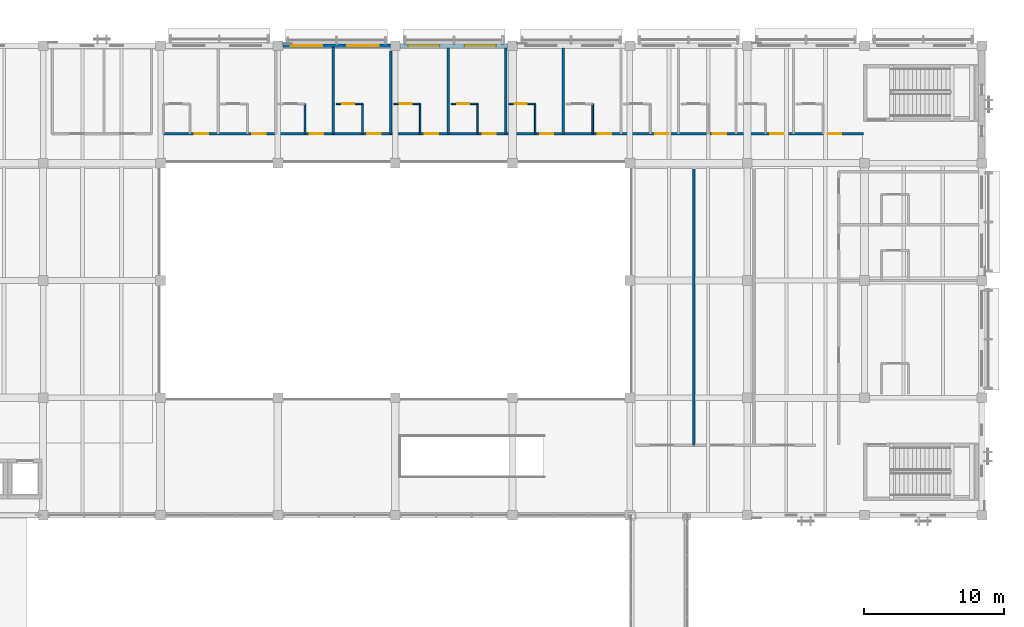
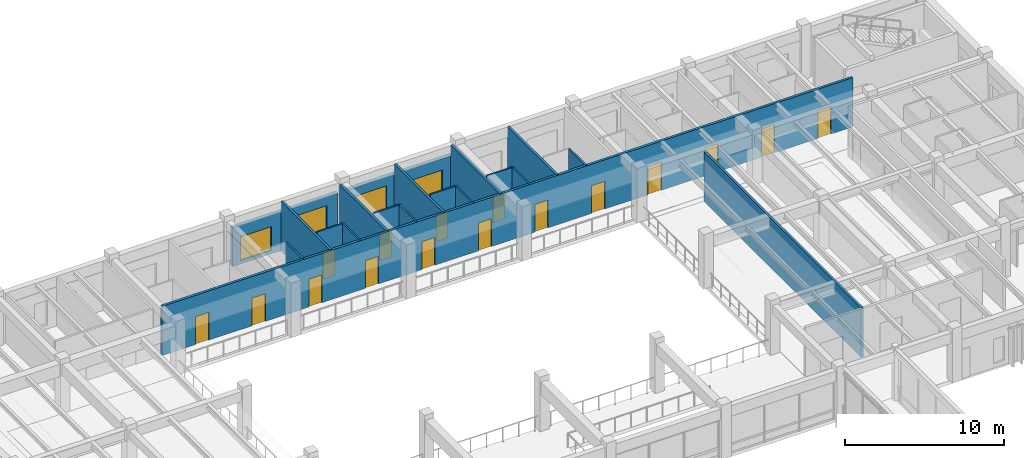
# One storey, part 96 of 132: 19 walls, 16 doors, 4 windows, 20 openings.
"""IFC4 building model written with IfcOpenShell, lengths in metres."""

from ifc_helpers import new_model, si_unit, direction, frame, frame_2d, origin, place, context, subcontext, project, spatial, rectangle, extrude, material, layer, layer_set, type_object, element, fill, save


model = new_model("IFC4")

# Units and contexts
model_context = context("Model", 3, precision=1e-05, world=origin(), true_north=direction((0.0, 1.0)))
body_context = subcontext(model_context, "Body", "Model", "MODEL_VIEW")
ifc_project = project(units=[si_unit("LENGTHUNIT", "METRE"), si_unit("AREAUNIT", "SQUARE_METRE"), si_unit("VOLUMEUNIT", "CUBIC_METRE"), si_unit("PLANEANGLEUNIT", "RADIAN"), si_unit("MASSUNIT", "GRAM", prefix="KILO")], contexts=[model_context])

# Site, building, storey
site_placement = place(None, origin())
site = spatial("IfcSite", under=ifc_project, at=site_placement, CompositionType="ELEMENT")
building_placement = place(site_placement, origin())
building = spatial("IfcBuilding", under=site, at=building_placement, Name="Cumbredor Promenade Congress Hotel", CompositionType="ELEMENT")
storey_placement = place(building_placement, frame((0.0, 0.0, 7.56005859375)))
storey = spatial("IfcBuildingStorey", under=building, at=storey_placement, Name="L02", CompositionType="ELEMENT", Elevation=7.56005859375)

# Wall
ifc_material_1 = material(Name="Moisture-resistant gypsum board on steel studs", Category="steel")
ifc_layer_1 = layer(ifc_material_1, 0.114990234375, Name="Moisture-resistant gypsum board on steel studs", Category="steel")
ifc_layer_set_1 = layer_set([ifc_layer_1], Name="Moisture-resistant gypsum board on steel studs")
wall_type_1 = type_object("IfcWallType", Name="WL-BATH-115", PredefinedType="PARTITIONING", material=ifc_layer_set_1)
wall_1_placement = place(storey_placement, frame((127.93994140625, 111.300048828125, 0.0), z_axis=(0.0, 0.0, 1.0), x_axis=(0.0, 1.0, 0.0)))
element("IfcWall", 1, at=wall_1_placement, inside=storey, type_object=wall_type_1, Name="L02 Interior Partition W-L02-FBV-F0203", PredefinedType="PARTITIONING", context=body_context, shape_type="SweptSolid", body=[
    extrude(rectangle(XDim=2.14990234375, YDim=0.114990234375, at=frame_2d((1.074951171875, 0.0))), origin(), (0.0, 0.0, 1.0), 3.800048828125),
])

# Wall, opening, door
wall_2_placement = place(storey_placement, frame((130.159912109375, 113.449951171875, 0.0), z_axis=(0.0, 0.0, 1.0), x_axis=(1.0, 0.0, 0.0)))
wall_2 = element("IfcWall", 2, at=wall_2_placement, inside=storey, type_object=wall_type_1, Name="L02 Interior Partition W-L02-FBH-F0204", PredefinedType="PARTITIONING", context=body_context, shape_type="SweptSolid", body=[
    extrude(rectangle(XDim=1.900146484375, YDim=0.114990234375, at=frame_2d((0.9501953125, 0.0))), origin(), (0.0, 0.0, 1.0), 3.800048828125),
])
opening_1_placement = place(wall_2_placement, frame((0.449951171875, 0.0, 0.0)))
opening_1 = element("IfcOpeningElement", 3, at=opening_1_placement, cuts=wall_2, Name="Opening ID-01", PredefinedType="OPENING", context=body_context, shape_type="SweptSolid", body=[
    extrude(rectangle(XDim=0.860107421875, YDim=2.050048828125, at=frame_2d((0.43017578125, 1.02490234375))), frame((0.0, 0.0673828125, 0.0), z_axis=(0.0, -1.0, 0.0), x_axis=(1.0, 0.0, 0.0)), (0.0, 0.0, 1.0), 0.135009765625),
])
ifc_material_2 = material(Name="Kiln-dried tropical hardwood", Category="wood")
door_type_1 = type_object("IfcDoorType", Name="DR-BATH-860", OperationType="NOTDEFINED", PredefinedType="DOOR", material=ifc_material_2)
door_1_placement = place(opening_1_placement, origin())
door_1 = element("IfcDoor", 4, at=door_1_placement, inside=storey, type_object=door_type_1, Name="L02 Interior Door W-L02-FBH-F0204-01", OperationType="SINGLE_SWING_LEFT", OverallHeight=2.050048828125, OverallWidth=0.860107421875, PredefinedType="DOOR", context=body_context, shape_type="SweptSolid", body=[
    extrude(rectangle(XDim=0.860107421875, YDim=2.050048828125, at=frame_2d((0.43017578125, 1.02490234375))), frame((0.0, 0.02490234375, 0.0), z_axis=(0.0, -1.0, 0.0), x_axis=(1.0, 0.0, 0.0)), (0.0, 0.0, 1.0), 0.050048828125),
])
fill(opening_1, door_1)

# Wall
wall_3_placement = place(storey_placement, frame((132.06005859375, 111.300048828125, 0.0), z_axis=(0.0, 0.0, 1.0), x_axis=(0.0, 1.0, 0.0)))
element("IfcWall", 5, at=wall_3_placement, inside=storey, type_object=wall_type_1, Name="L02 Interior Partition W-L02-FBV-F0204", PredefinedType="PARTITIONING", context=body_context, shape_type="SweptSolid", body=[
    extrude(rectangle(XDim=2.14990234375, YDim=0.114990234375, at=frame_2d((1.074951171875, 0.0))), origin(), (0.0, 0.0, 1.0), 3.800048828125),
])

# Wall, opening, door
wall_4_placement = place(storey_placement, frame((134.280029296875, 113.449951171875, 0.0), z_axis=(0.0, 0.0, 1.0), x_axis=(1.0, 0.0, 0.0)))
wall_4 = element("IfcWall", 6, at=wall_4_placement, inside=storey, type_object=wall_type_1, Name="L02 Interior Partition W-L02-FBH-F0205", PredefinedType="PARTITIONING", context=body_context, shape_type="SweptSolid", body=[
    extrude(rectangle(XDim=1.89990234375, YDim=0.114990234375, at=frame_2d((0.949951171875, 0.0))), origin(), (0.0, 0.0, 1.0), 3.800048828125),
])
opening_2_placement = place(wall_4_placement, frame((0.449951171875, 0.0, 0.0)))
opening_2 = element("IfcOpeningElement", 7, at=opening_2_placement, cuts=wall_4, Name="Opening ID-01", PredefinedType="OPENING", context=body_context, shape_type="SweptSolid", body=[
    extrude(rectangle(XDim=0.860107421875, YDim=2.050048828125, at=frame_2d((0.43017578125, 1.02490234375))), frame((0.0, 0.0673828125, 0.0), z_axis=(0.0, -1.0, 0.0), x_axis=(1.0, 0.0, 0.0)), (0.0, 0.0, 1.0), 0.135009765625),
])
door_2_placement = place(opening_2_placement, origin())
door_2 = element("IfcDoor", 8, at=door_2_placement, inside=storey, type_object=door_type_1, Name="L02 Interior Door W-L02-FBH-F0205-01", OperationType="SINGLE_SWING_RIGHT", OverallHeight=2.050048828125, OverallWidth=0.860107421875, PredefinedType="DOOR", context=body_context, shape_type="SweptSolid", body=[
    extrude(rectangle(XDim=0.860107421875, YDim=2.050048828125, at=frame_2d((0.43017578125, 1.02490234375))), frame((0.0, 0.02490234375, 0.0), z_axis=(0.0, -1.0, 0.0), x_axis=(1.0, 0.0, 0.0)), (0.0, 0.0, 1.0), 0.050048828125),
])
fill(opening_2, door_2)

# Wall
wall_5_placement = place(storey_placement, frame((136.179931640625, 111.300048828125, 0.0), z_axis=(0.0, 0.0, 1.0), x_axis=(0.0, 1.0, 0.0)))
element("IfcWall", 9, at=wall_5_placement, inside=storey, type_object=wall_type_1, Name="L02 Interior Partition W-L02-FBV-F0205", PredefinedType="PARTITIONING", context=body_context, shape_type="SweptSolid", body=[
    extrude(rectangle(XDim=2.14990234375, YDim=0.114990234375, at=frame_2d((1.074951171875, 0.0))), origin(), (0.0, 0.0, 1.0), 3.800048828125),
])

# Wall, opening, door
wall_6_placement = place(storey_placement, frame((138.39990234375, 113.449951171875, 0.0), z_axis=(0.0, 0.0, 1.0), x_axis=(1.0, 0.0, 0.0)))
wall_6 = element("IfcWall", 10, at=wall_6_placement, inside=storey, type_object=wall_type_1, Name="L02 Interior Partition W-L02-FBH-F0206", PredefinedType="PARTITIONING", context=body_context, shape_type="SweptSolid", body=[
    extrude(rectangle(XDim=1.900146484375, YDim=0.114990234375, at=frame_2d((0.9501953125, 0.0))), origin(), (0.0, 0.0, 1.0), 3.800048828125),
])
opening_3_placement = place(wall_6_placement, frame((0.449951171875, 0.0, 0.0)))
opening_3 = element("IfcOpeningElement", 11, at=opening_3_placement, cuts=wall_6, Name="Opening ID-01", PredefinedType="OPENING", context=body_context, shape_type="SweptSolid", body=[
    extrude(rectangle(XDim=0.860107421875, YDim=2.050048828125, at=frame_2d((0.43017578125, 1.02490234375))), frame((0.0, 0.0673828125, 0.0), z_axis=(0.0, -1.0, 0.0), x_axis=(1.0, 0.0, 0.0)), (0.0, 0.0, 1.0), 0.135009765625),
])
door_3_placement = place(opening_3_placement, origin())
door_3 = element("IfcDoor", 12, at=door_3_placement, inside=storey, type_object=door_type_1, Name="L02 Interior Door W-L02-FBH-F0206-01", OperationType="SINGLE_SWING_LEFT", OverallHeight=2.050048828125, OverallWidth=0.860107421875, PredefinedType="DOOR", context=body_context, shape_type="SweptSolid", body=[
    extrude(rectangle(XDim=0.860107421875, YDim=2.050048828125, at=frame_2d((0.43017578125, 1.02490234375))), frame((0.0, 0.02490234375, 0.0), z_axis=(0.0, -1.0, 0.0), x_axis=(1.0, 0.0, 0.0)), (0.0, 0.0, 1.0), 0.050048828125),
])
fill(opening_3, door_3)

# Wall
wall_7_placement = place(storey_placement, frame((140.300048828125, 111.300048828125, 0.0), z_axis=(0.0, 0.0, 1.0), x_axis=(0.0, 1.0, 0.0)))
element("IfcWall", 13, at=wall_7_placement, inside=storey, type_object=wall_type_1, Name="L02 Interior Partition W-L02-FBV-F0206", PredefinedType="PARTITIONING", context=body_context, shape_type="SweptSolid", body=[
    extrude(rectangle(XDim=2.14990234375, YDim=0.114990234375, at=frame_2d((1.074951171875, 0.0))), origin(), (0.0, 0.0, 1.0), 3.800048828125),
])

# Wall, opening, door
wall_8_placement = place(storey_placement, frame((142.52001953125, 113.449951171875, 0.0), z_axis=(0.0, 0.0, 1.0), x_axis=(1.0, 0.0, 0.0)))
wall_8 = element("IfcWall", 14, at=wall_8_placement, inside=storey, type_object=wall_type_1, Name="L02 Interior Partition W-L02-FBH-F0207", PredefinedType="PARTITIONING", context=body_context, shape_type="SweptSolid", body=[
    extrude(rectangle(XDim=1.89990234375, YDim=0.114990234375, at=frame_2d((0.949951171875, 0.0))), origin(), (0.0, 0.0, 1.0), 3.800048828125),
])
opening_4_placement = place(wall_8_placement, frame((0.449951171875, 0.0, 0.0)))
opening_4 = element("IfcOpeningElement", 15, at=opening_4_placement, cuts=wall_8, Name="Opening ID-01", PredefinedType="OPENING", context=body_context, shape_type="SweptSolid", body=[
    extrude(rectangle(XDim=0.860107421875, YDim=2.050048828125, at=frame_2d((0.43017578125, 1.02490234375))), frame((0.0, 0.0673828125, 0.0), z_axis=(0.0, -1.0, 0.0), x_axis=(1.0, 0.0, 0.0)), (0.0, 0.0, 1.0), 0.135009765625),
])
door_4_placement = place(opening_4_placement, origin())
door_4 = element("IfcDoor", 16, at=door_4_placement, inside=storey, type_object=door_type_1, Name="L02 Interior Door W-L02-FBH-F0207-01", OperationType="SINGLE_SWING_RIGHT", OverallHeight=2.050048828125, OverallWidth=0.860107421875, PredefinedType="DOOR", context=body_context, shape_type="SweptSolid", body=[
    extrude(rectangle(XDim=0.860107421875, YDim=2.050048828125, at=frame_2d((0.43017578125, 1.02490234375))), frame((0.0, 0.02490234375, 0.0), z_axis=(0.0, -1.0, 0.0), x_axis=(1.0, 0.0, 0.0)), (0.0, 0.0, 1.0), 0.050048828125),
])
fill(opening_4, door_4)

# Walls
for number, where, z_axis, x_axis, name in (
    (17, (144.419921875, 111.300048828125, 0.0), (0.0, 0.0, 1.0), (0.0, 1.0, 0.0), "L02 Interior Partition W-L02-FBV-F0207"),
    (18, (148.5400390625, 111.300048828125, 0.0), (0.0, 0.0, 1.0), (0.0, 1.0, 0.0), "L02 Interior Partition W-L02-FBV-F0208"),
):
    element("IfcWall", number, at=place(storey_placement, frame(where, z_axis=z_axis, x_axis=x_axis)), inside=storey, type_object=wall_type_1, Name=name, PredefinedType="PARTITIONING", context=body_context, shape_type="SweptSolid", body=[
        extrude(rectangle(XDim=2.14990234375, YDim=0.114990234375, at=frame_2d((1.074951171875, 0.0))), origin(), (0.0, 0.0, 1.0), 3.800048828125),
    ])

# Wall, openings, doors
ifc_material_3 = material(Name="Fire-rated hotel corridor wall")
ifc_layer_2 = layer(ifc_material_3, 0.179931640625, Name="Fire-rated hotel corridor wall")
ifc_layer_set_2 = layer_set([ifc_layer_2], Name="Fire-rated hotel corridor wall")
wall_type_2 = type_object("IfcWallType", Name="WL-CORR-180", PredefinedType="PARTITIONING", material=ifc_layer_set_2)
wall_9_placement = place(storey_placement, frame((117.60009765625, 111.300048828125, 0.0), z_axis=(0.0, 0.0, 1.0), x_axis=(1.0, 0.0, 0.0)))
wall_9 = element("IfcWall", 19, at=wall_9_placement, inside=storey, type_object=wall_type_2, Name="L02 Interior Partition W-L02-FCORRW", PredefinedType="PARTITIONING", context=body_context, shape_type="SweptSolid", body=[
    extrude(rectangle(XDim=50.31982421875, YDim=0.179931640625, at=frame_2d((25.159912109375, 0.0))), origin(), (0.0, 0.0, 1.0), 3.800048828125),
])
opening_5_placement = place(wall_9_placement, frame((2.449951171875, 0.0, 0.0)))
opening_5 = element("IfcOpeningElement", 20, at=opening_5_placement, cuts=wall_9, Name="Opening FD-01", PredefinedType="OPENING", context=body_context, shape_type="SweptSolid", body=[
    extrude(rectangle(XDim=0.9599609375, YDim=2.14990234375, at=frame_2d((0.47998046875, 1.074951171875))), frame((0.0, 0.10009765625, 0.0), z_axis=(0.0, -1.0, 0.0), x_axis=(1.0, 0.0, 0.0)), (0.0, 0.0, 1.0), 0.199951171875),
])
opening_6_placement = place(wall_9_placement, frame((6.570068359375, 0.0, 0.0)))
opening_6 = element("IfcOpeningElement", 21, at=opening_6_placement, cuts=wall_9, Name="Opening FD-01", PredefinedType="OPENING", context=body_context, shape_type="SweptSolid", body=[
    extrude(rectangle(XDim=0.9599609375, YDim=2.14990234375, at=frame_2d((0.47998046875, 1.074951171875))), frame((0.0, 0.10009765625, 0.0), z_axis=(0.0, -1.0, 0.0), x_axis=(1.0, 0.0, 0.0)), (0.0, 0.0, 1.0), 0.199951171875),
])
opening_7_placement = place(wall_9_placement, frame((10.68994140625, 0.0, 0.0)))
opening_7 = element("IfcOpeningElement", 22, at=opening_7_placement, cuts=wall_9, Name="Opening FD-01", PredefinedType="OPENING", context=body_context, shape_type="SweptSolid", body=[
    extrude(rectangle(XDim=0.9599609375, YDim=2.14990234375, at=frame_2d((0.47998046875, 1.074951171875))), frame((0.0, 0.10009765625, 0.0), z_axis=(0.0, -1.0, 0.0), x_axis=(1.0, 0.0, 0.0)), (0.0, 0.0, 1.0), 0.199951171875),
])
opening_8_placement = place(wall_9_placement, frame((14.81005859375, 0.0, 0.0)))
opening_8 = element("IfcOpeningElement", 23, at=opening_8_placement, cuts=wall_9, Name="Opening FD-01", PredefinedType="OPENING", context=body_context, shape_type="SweptSolid", body=[
    extrude(rectangle(XDim=0.9599609375, YDim=2.14990234375, at=frame_2d((0.47998046875, 1.074951171875))), frame((0.0, 0.10009765625, 0.0), z_axis=(0.0, -1.0, 0.0), x_axis=(1.0, 0.0, 0.0)), (0.0, 0.0, 1.0), 0.199951171875),
])
opening_9_placement = place(wall_9_placement, frame((18.929931640625, 0.0, 0.0)))
opening_9 = element("IfcOpeningElement", 24, at=opening_9_placement, cuts=wall_9, Name="Opening FD-01", PredefinedType="OPENING", context=body_context, shape_type="SweptSolid", body=[
    extrude(rectangle(XDim=0.9599609375, YDim=2.14990234375, at=frame_2d((0.47998046875, 1.074951171875))), frame((0.0, 0.10009765625, 0.0), z_axis=(0.0, -1.0, 0.0), x_axis=(1.0, 0.0, 0.0)), (0.0, 0.0, 1.0), 0.199951171875),
])
opening_10_placement = place(wall_9_placement, frame((23.050048828125, 0.0, 0.0)))
opening_10 = element("IfcOpeningElement", 25, at=opening_10_placement, cuts=wall_9, Name="Opening FD-01", PredefinedType="OPENING", context=body_context, shape_type="SweptSolid", body=[
    extrude(rectangle(XDim=0.9599609375, YDim=2.14990234375, at=frame_2d((0.47998046875, 1.074951171875))), frame((0.0, 0.10009765625, 0.0), z_axis=(0.0, -1.0, 0.0), x_axis=(1.0, 0.0, 0.0)), (0.0, 0.0, 1.0), 0.199951171875),
])
opening_11_placement = place(wall_9_placement, frame((27.169921875, 0.0, 0.0)))
opening_11 = element("IfcOpeningElement", 26, at=opening_11_placement, cuts=wall_9, Name="Opening FD-01", PredefinedType="OPENING", context=body_context, shape_type="SweptSolid", body=[
    extrude(rectangle(XDim=0.9599609375, YDim=2.14990234375, at=frame_2d((0.47998046875, 1.074951171875))), frame((0.0, 0.10009765625, 0.0), z_axis=(0.0, -1.0, 0.0), x_axis=(1.0, 0.0, 0.0)), (0.0, 0.0, 1.0), 0.199951171875),
])
opening_12_placement = place(wall_9_placement, frame((31.2900390625, 0.0, 0.0)))
opening_12 = element("IfcOpeningElement", 27, at=opening_12_placement, cuts=wall_9, Name="Opening FD-01", PredefinedType="OPENING", context=body_context, shape_type="SweptSolid", body=[
    extrude(rectangle(XDim=0.9599609375, YDim=2.14990234375, at=frame_2d((0.47998046875, 1.074951171875))), frame((0.0, 0.10009765625, 0.0), z_axis=(0.0, -1.0, 0.0), x_axis=(1.0, 0.0, 0.0)), (0.0, 0.0, 1.0), 0.199951171875),
])
opening_13_placement = place(wall_9_placement, frame((35.409912109375, 0.0, 0.0)))
opening_13 = element("IfcOpeningElement", 28, at=opening_13_placement, cuts=wall_9, Name="Opening FD-01", PredefinedType="OPENING", context=body_context, shape_type="SweptSolid", body=[
    extrude(rectangle(XDim=0.9599609375, YDim=2.14990234375, at=frame_2d((0.47998046875, 1.074951171875))), frame((0.0, 0.10009765625, 0.0), z_axis=(0.0, -1.0, 0.0), x_axis=(1.0, 0.0, 0.0)), (0.0, 0.0, 1.0), 0.199951171875),
])
opening_14_placement = place(wall_9_placement, frame((39.530029296875, 0.0, 0.0)))
opening_14 = element("IfcOpeningElement", 29, at=opening_14_placement, cuts=wall_9, Name="Opening FD-01", PredefinedType="OPENING", context=body_context, shape_type="SweptSolid", body=[
    extrude(rectangle(XDim=0.9599609375, YDim=2.14990234375, at=frame_2d((0.47998046875, 1.074951171875))), frame((0.0, 0.10009765625, 0.0), z_axis=(0.0, -1.0, 0.0), x_axis=(1.0, 0.0, 0.0)), (0.0, 0.0, 1.0), 0.199951171875),
])
opening_15_placement = place(wall_9_placement, frame((43.64990234375, 0.0, 0.0)))
opening_15 = element("IfcOpeningElement", 30, at=opening_15_placement, cuts=wall_9, Name="Opening FD-01", PredefinedType="OPENING", context=body_context, shape_type="SweptSolid", body=[
    extrude(rectangle(XDim=0.9599609375, YDim=2.14990234375, at=frame_2d((0.47998046875, 1.074951171875))), frame((0.0, 0.10009765625, 0.0), z_axis=(0.0, -1.0, 0.0), x_axis=(1.0, 0.0, 0.0)), (0.0, 0.0, 1.0), 0.199951171875),
])
opening_16_placement = place(wall_9_placement, frame((47.77001953125, 0.0, 0.0)))
opening_16 = element("IfcOpeningElement", 31, at=opening_16_placement, cuts=wall_9, Name="Opening FD-01", PredefinedType="OPENING", context=body_context, shape_type="SweptSolid", body=[
    extrude(rectangle(XDim=0.9599609375, YDim=2.14990234375, at=frame_2d((0.47998046875, 1.074951171875))), frame((0.0, 0.10009765625, 0.0), z_axis=(0.0, -1.0, 0.0), x_axis=(1.0, 0.0, 0.0)), (0.0, 0.0, 1.0), 0.199951171875),
])
ifc_material_4 = material(Name="Solid-core fire-rated tropical hardwood", Category="wood")
door_type_2 = type_object("IfcDoorType", Name="DR-GUEST-FD30-950", OperationType="NOTDEFINED", PredefinedType="DOOR", material=ifc_material_4)
door_5_placement = place(opening_5_placement, origin())
door_5 = element("IfcDoor", 32, at=door_5_placement, inside=storey, type_object=door_type_2, Name="L02 Interior Door W-L02-FCORRW-01", OperationType="SINGLE_SWING_LEFT", OverallHeight=2.14990234375, OverallWidth=0.9599609375, PredefinedType="DOOR", context=body_context, shape_type="SweptSolid", body=[
    extrude(rectangle(XDim=0.9599609375, YDim=2.14990234375, at=frame_2d((0.47998046875, 1.074951171875))), frame((0.0, 0.02490234375, 0.0), z_axis=(0.0, -1.0, 0.0), x_axis=(1.0, 0.0, 0.0)), (0.0, 0.0, 1.0), 0.050048828125),
])
fill(opening_5, door_5)
door_6_placement = place(opening_6_placement, origin())
door_6 = element("IfcDoor", 33, at=door_6_placement, inside=storey, type_object=door_type_2, Name="L02 Interior Door W-L02-FCORRW-02", OperationType="SINGLE_SWING_RIGHT", OverallHeight=2.14990234375, OverallWidth=0.9599609375, PredefinedType="DOOR", context=body_context, shape_type="SweptSolid", body=[
    extrude(rectangle(XDim=0.9599609375, YDim=2.14990234375, at=frame_2d((0.47998046875, 1.074951171875))), frame((0.0, 0.02490234375, 0.0), z_axis=(0.0, -1.0, 0.0), x_axis=(1.0, 0.0, 0.0)), (0.0, 0.0, 1.0), 0.050048828125),
])
fill(opening_6, door_6)
door_7_placement = place(opening_7_placement, origin())
door_7 = element("IfcDoor", 34, at=door_7_placement, inside=storey, type_object=door_type_2, Name="L02 Interior Door W-L02-FCORRW-03", OperationType="SINGLE_SWING_LEFT", OverallHeight=2.14990234375, OverallWidth=0.9599609375, PredefinedType="DOOR", context=body_context, shape_type="SweptSolid", body=[
    extrude(rectangle(XDim=0.9599609375, YDim=2.14990234375, at=frame_2d((0.47998046875, 1.074951171875))), frame((0.0, 0.02490234375, 0.0), z_axis=(0.0, -1.0, 0.0), x_axis=(1.0, 0.0, 0.0)), (0.0, 0.0, 1.0), 0.050048828125),
])
fill(opening_7, door_7)
door_8_placement = place(opening_8_placement, origin())
door_8 = element("IfcDoor", 35, at=door_8_placement, inside=storey, type_object=door_type_2, Name="L02 Interior Door W-L02-FCORRW-04", OperationType="SINGLE_SWING_RIGHT", OverallHeight=2.14990234375, OverallWidth=0.9599609375, PredefinedType="DOOR", context=body_context, shape_type="SweptSolid", body=[
    extrude(rectangle(XDim=0.9599609375, YDim=2.14990234375, at=frame_2d((0.47998046875, 1.074951171875))), frame((0.0, 0.02490234375, 0.0), z_axis=(0.0, -1.0, 0.0), x_axis=(1.0, 0.0, 0.0)), (0.0, 0.0, 1.0), 0.050048828125),
])
fill(opening_8, door_8)
door_9_placement = place(opening_9_placement, origin())
door_9 = element("IfcDoor", 36, at=door_9_placement, inside=storey, type_object=door_type_2, Name="L02 Interior Door W-L02-FCORRW-05", OperationType="SINGLE_SWING_LEFT", OverallHeight=2.14990234375, OverallWidth=0.9599609375, PredefinedType="DOOR", context=body_context, shape_type="SweptSolid", body=[
    extrude(rectangle(XDim=0.9599609375, YDim=2.14990234375, at=frame_2d((0.47998046875, 1.074951171875))), frame((0.0, 0.02490234375, 0.0), z_axis=(0.0, -1.0, 0.0), x_axis=(1.0, 0.0, 0.0)), (0.0, 0.0, 1.0), 0.050048828125),
])
fill(opening_9, door_9)
door_10_placement = place(opening_10_placement, origin())
door_10 = element("IfcDoor", 37, at=door_10_placement, inside=storey, type_object=door_type_2, Name="L02 Interior Door W-L02-FCORRW-06", OperationType="SINGLE_SWING_RIGHT", OverallHeight=2.14990234375, OverallWidth=0.9599609375, PredefinedType="DOOR", context=body_context, shape_type="SweptSolid", body=[
    extrude(rectangle(XDim=0.9599609375, YDim=2.14990234375, at=frame_2d((0.47998046875, 1.074951171875))), frame((0.0, 0.02490234375, 0.0), z_axis=(0.0, -1.0, 0.0), x_axis=(1.0, 0.0, 0.0)), (0.0, 0.0, 1.0), 0.050048828125),
])
fill(opening_10, door_10)
door_11_placement = place(opening_11_placement, origin())
door_11 = element("IfcDoor", 38, at=door_11_placement, inside=storey, type_object=door_type_2, Name="L02 Interior Door W-L02-FCORRW-07", OperationType="SINGLE_SWING_LEFT", OverallHeight=2.14990234375, OverallWidth=0.9599609375, PredefinedType="DOOR", context=body_context, shape_type="SweptSolid", body=[
    extrude(rectangle(XDim=0.9599609375, YDim=2.14990234375, at=frame_2d((0.47998046875, 1.074951171875))), frame((0.0, 0.02490234375, 0.0), z_axis=(0.0, -1.0, 0.0), x_axis=(1.0, 0.0, 0.0)), (0.0, 0.0, 1.0), 0.050048828125),
])
fill(opening_11, door_11)
door_12_placement = place(opening_12_placement, origin())
door_12 = element("IfcDoor", 39, at=door_12_placement, inside=storey, type_object=door_type_2, Name="L02 Interior Door W-L02-FCORRW-08", OperationType="SINGLE_SWING_RIGHT", OverallHeight=2.14990234375, OverallWidth=0.9599609375, PredefinedType="DOOR", context=body_context, shape_type="SweptSolid", body=[
    extrude(rectangle(XDim=0.9599609375, YDim=2.14990234375, at=frame_2d((0.47998046875, 1.074951171875))), frame((0.0, 0.02490234375, 0.0), z_axis=(0.0, -1.0, 0.0), x_axis=(1.0, 0.0, 0.0)), (0.0, 0.0, 1.0), 0.050048828125),
])
fill(opening_12, door_12)
door_13_placement = place(opening_13_placement, origin())
door_13 = element("IfcDoor", 40, at=door_13_placement, inside=storey, type_object=door_type_2, Name="L02 Interior Door W-L02-FCORRW-09", OperationType="SINGLE_SWING_LEFT", OverallHeight=2.14990234375, OverallWidth=0.9599609375, PredefinedType="DOOR", context=body_context, shape_type="SweptSolid", body=[
    extrude(rectangle(XDim=0.9599609375, YDim=2.14990234375, at=frame_2d((0.47998046875, 1.074951171875))), frame((0.0, 0.02490234375, 0.0), z_axis=(0.0, -1.0, 0.0), x_axis=(1.0, 0.0, 0.0)), (0.0, 0.0, 1.0), 0.050048828125),
])
fill(opening_13, door_13)
door_14_placement = place(opening_14_placement, origin())
door_14 = element("IfcDoor", 41, at=door_14_placement, inside=storey, type_object=door_type_2, Name="L02 Interior Door W-L02-FCORRW-10", OperationType="SINGLE_SWING_RIGHT", OverallHeight=2.14990234375, OverallWidth=0.9599609375, PredefinedType="DOOR", context=body_context, shape_type="SweptSolid", body=[
    extrude(rectangle(XDim=0.9599609375, YDim=2.14990234375, at=frame_2d((0.47998046875, 1.074951171875))), frame((0.0, 0.02490234375, 0.0), z_axis=(0.0, -1.0, 0.0), x_axis=(1.0, 0.0, 0.0)), (0.0, 0.0, 1.0), 0.050048828125),
])
fill(opening_14, door_14)
door_15_placement = place(opening_15_placement, origin())
door_15 = element("IfcDoor", 42, at=door_15_placement, inside=storey, type_object=door_type_2, Name="L02 Interior Door W-L02-FCORRW-11", OperationType="SINGLE_SWING_LEFT", OverallHeight=2.14990234375, OverallWidth=0.9599609375, PredefinedType="DOOR", context=body_context, shape_type="SweptSolid", body=[
    extrude(rectangle(XDim=0.9599609375, YDim=2.14990234375, at=frame_2d((0.47998046875, 1.074951171875))), frame((0.0, 0.02490234375, 0.0), z_axis=(0.0, -1.0, 0.0), x_axis=(1.0, 0.0, 0.0)), (0.0, 0.0, 1.0), 0.050048828125),
])
fill(opening_15, door_15)
door_16_placement = place(opening_16_placement, origin())
door_16 = element("IfcDoor", 43, at=door_16_placement, inside=storey, type_object=door_type_2, Name="L02 Interior Door W-L02-FCORRW-12", OperationType="SINGLE_SWING_RIGHT", OverallHeight=2.14990234375, OverallWidth=0.9599609375, PredefinedType="DOOR", context=body_context, shape_type="SweptSolid", body=[
    extrude(rectangle(XDim=0.9599609375, YDim=2.14990234375, at=frame_2d((0.47998046875, 1.074951171875))), frame((0.0, 0.02490234375, 0.0), z_axis=(0.0, -1.0, 0.0), x_axis=(1.0, 0.0, 0.0)), (0.0, 0.0, 1.0), 0.050048828125),
])
fill(opening_16, door_16)

# Wall, openings, windows
ifc_material_5 = material(Name="Concrete C40/50", Category="concrete")
ifc_layer_3 = layer(ifc_material_5, 0.260009765625, Name="Concrete C40/50", Category="concrete")
ifc_layer_set_3 = layer_set([ifc_layer_3], Name="Concrete C40/50")
wall_type_3 = type_object("IfcWallType", Name="WL-EXT-260", PredefinedType="SOLIDWALL", material=ifc_layer_set_3)
wall_10_placement = place(storey_placement, frame((126.35107421875, 117.60009765625, 0.0), z_axis=(0.0, 0.0, 1.0), x_axis=(1.0, 0.0, 0.0)))
wall_10 = element("IfcWall", 44, at=wall_10_placement, inside=storey, type_object=wall_type_3, Name="L02 Pre-Function and Breakout Meeting Forum North Envelope Wall 5", PredefinedType="SOLIDWALL", context=body_context, shape_type="SweptSolid", body=[
    extrude(rectangle(XDim=7.697998046875, YDim=0.260009765625, at=frame_2d((3.84912109375, 0.0))), origin(), (0.0, 0.0, 1.0), 2.98486328125),
])
opening_17_placement = place(wall_10_placement, frame((0.573974609375, 0.0, 0.25)))
opening_17 = element("IfcOpeningElement", 45, at=opening_17_placement, cuts=wall_10, Name="Opening WN-01", PredefinedType="OPENING", context=body_context, shape_type="SweptSolid", body=[
    extrude(rectangle(XDim=2.25, YDim=1.85009765625, at=frame_2d((1.125, 0.925048828125))), frame((0.0, 0.14013671875, 0.0), z_axis=(0.0, -1.0, 0.0), x_axis=(1.0, 0.0, 0.0)), (0.0, 0.0, 1.0), 0.280029296875),
])
opening_18_placement = place(wall_10_placement, frame((4.6240234375, 0.0, 0.25)))
opening_18 = element("IfcOpeningElement", 46, at=opening_18_placement, cuts=wall_10, Name="Opening WN-13", PredefinedType="OPENING", context=body_context, shape_type="SweptSolid", body=[
    extrude(rectangle(XDim=2.25, YDim=2.050048828125, at=frame_2d((1.125, 1.02490234375))), frame((0.0, 0.14013671875, 0.0), z_axis=(0.0, -1.0, 0.0), x_axis=(1.0, 0.0, 0.0)), (0.0, 0.0, 1.0), 0.280029296875),
])
ifc_material_6 = material(Name="Thermally broken anodized aluminium and low-E glass", Category="aluminium")
window_type_1 = type_object("IfcWindowType", Name="Hospitality Floor-to-Ceiling Window WN-01 2250x1850", PartitioningType="DOUBLE_PANEL_VERTICAL", PredefinedType="WINDOW", material=ifc_material_6)
window_1_placement = place(opening_17_placement, origin())
window_1 = element("IfcWindow", 47, at=window_1_placement, inside=storey, type_object=window_type_1, Name="L02 Wide Hospitality Window 0274", OverallHeight=1.85009765625, OverallWidth=2.25, PartitioningType="DOUBLE_PANEL_VERTICAL", PredefinedType="WINDOW", context=body_context, shape_type="SweptSolid", body=[
    extrude(rectangle(XDim=2.25, YDim=1.85009765625, at=frame_2d((1.125, 0.925048828125))), frame((0.0, 0.030029296875, 0.0), z_axis=(0.0, -1.0, 0.0), x_axis=(1.0, 0.0, 0.0)), (0.0, 0.0, 1.0), 0.06005859375),
])
fill(opening_17, window_1)
window_type_2 = type_object("IfcWindowType", Name="Hospitality Floor-to-Ceiling Window WN-13 2250x2050", PartitioningType="DOUBLE_PANEL_VERTICAL", PredefinedType="WINDOW", material=ifc_material_6)
window_2_placement = place(opening_18_placement, origin())
window_2 = element("IfcWindow", 48, at=window_2_placement, inside=storey, type_object=window_type_2, Name="L02 Wide Hospitality Window 0275", OverallHeight=2.050048828125, OverallWidth=2.25, PartitioningType="DOUBLE_PANEL_VERTICAL", PredefinedType="WINDOW", context=body_context, shape_type="SweptSolid", body=[
    extrude(rectangle(XDim=2.25, YDim=2.050048828125, at=frame_2d((1.125, 1.02490234375))), frame((0.0, 0.030029296875, 0.0), z_axis=(0.0, -1.0, 0.0), x_axis=(1.0, 0.0, 0.0)), (0.0, 0.0, 1.0), 0.06005859375),
])
fill(opening_18, window_2)

ifc_layer_4 = layer(ifc_material_5, 0.280029296875, Name="Concrete C40/50", Category="concrete")
ifc_layer_set_4 = layer_set([ifc_layer_4], Name="Concrete C40/50")
wall_type_4 = type_object("IfcWallType", Name="WL-EXT-280", PredefinedType="SOLIDWALL", material=ifc_layer_set_4)
wall_11_placement = place(storey_placement, frame((134.7509765625, 117.60009765625, 0.0), z_axis=(0.0, 0.0, 1.0), x_axis=(1.0, 0.0, 0.0)))
wall_11 = element("IfcWall", 49, at=wall_11_placement, inside=storey, type_object=wall_type_4, Name="L02 Pre-Function and Breakout Meeting Forum North Envelope Wall 6", PredefinedType="SOLIDWALL", context=body_context, shape_type="SweptSolid", body=[
    extrude(rectangle(XDim=7.697998046875, YDim=0.280029296875, at=frame_2d((3.84912109375, 0.0))), origin(), (0.0, 0.0, 1.0), 2.98486328125),
])
opening_19_placement = place(wall_11_placement, frame((0.573974609375, 0.0, 0.25)))
opening_19 = element("IfcOpeningElement", 50, at=opening_19_placement, cuts=wall_11, Name="Opening WN-13", PredefinedType="OPENING", context=body_context, shape_type="SweptSolid", body=[
    extrude(rectangle(XDim=2.25, YDim=2.050048828125, at=frame_2d((1.125, 1.02490234375))), frame((0.0, 0.14990234375, 0.0), z_axis=(0.0, -1.0, 0.0), x_axis=(1.0, 0.0, 0.0)), (0.0, 0.0, 1.0), 0.300048828125),
])
opening_20_placement = place(wall_11_placement, frame((4.6240234375, 0.0, 0.25)))
opening_20 = element("IfcOpeningElement", 51, at=opening_20_placement, cuts=wall_11, Name="Opening WN-01", PredefinedType="OPENING", context=body_context, shape_type="SweptSolid", body=[
    extrude(rectangle(XDim=2.25, YDim=1.85009765625, at=frame_2d((1.125, 0.925048828125))), frame((0.0, 0.14990234375, 0.0), z_axis=(0.0, -1.0, 0.0), x_axis=(1.0, 0.0, 0.0)), (0.0, 0.0, 1.0), 0.300048828125),
])
window_3_placement = place(opening_20_placement, origin())
window_3 = element("IfcWindow", 52, at=window_3_placement, inside=storey, type_object=window_type_1, Name="L02 Wide Hospitality Window 0277", OverallHeight=1.85009765625, OverallWidth=2.25, PartitioningType="DOUBLE_PANEL_VERTICAL", PredefinedType="WINDOW", context=body_context, shape_type="SweptSolid", body=[
    extrude(rectangle(XDim=2.25, YDim=1.85009765625, at=frame_2d((1.125, 0.925048828125))), frame((0.0, 0.030029296875, 0.0), z_axis=(0.0, -1.0, 0.0), x_axis=(1.0, 0.0, 0.0)), (0.0, 0.0, 1.0), 0.06005859375),
])
fill(opening_20, window_3)
window_4_placement = place(opening_19_placement, origin())
window_4 = element("IfcWindow", 53, at=window_4_placement, inside=storey, type_object=window_type_2, Name="L02 Wide Hospitality Window 0276", OverallHeight=2.050048828125, OverallWidth=2.25, PartitioningType="DOUBLE_PANEL_VERTICAL", PredefinedType="WINDOW", context=body_context, shape_type="SweptSolid", body=[
    extrude(rectangle(XDim=2.25, YDim=2.050048828125, at=frame_2d((1.125, 1.02490234375))), frame((0.0, 0.030029296875, 0.0), z_axis=(0.0, -1.0, 0.0), x_axis=(1.0, 0.0, 0.0)), (0.0, 0.0, 1.0), 0.06005859375),
])
fill(opening_19, window_4)

# Walls
ifc_material_7 = material(Name="Fire-rated acoustic double-stud partition")
ifc_layer_5 = layer(ifc_material_7, 0.1650390625, Name="Fire-rated acoustic double-stud partition")
ifc_layer_set_5 = layer_set([ifc_layer_5], Name="Fire-rated acoustic double-stud partition")
wall_type_5 = type_object("IfcWallType", Name="WL-UNIT-165", PredefinedType="PARTITIONING", material=ifc_layer_set_5)
wall_12_placement = place(storey_placement, frame((155.780029296875, 89.0, 0.0), z_axis=(0.0, 0.0, 1.0), x_axis=(0.0, 1.0, 0.0)))
element("IfcWall", 54, at=wall_12_placement, inside=storey, type_object=wall_type_5, Name="L02 Interior Partition W-L02-V4-EDIV-1", PredefinedType="PARTITIONING", context=body_context, shape_type="SweptSolid", body=[
    extrude(rectangle(XDim=19.800048828125, YDim=0.1650390625, at=frame_2d((9.89990234375, 0.0))), origin(), (0.0, 0.0, 1.0), 3.800048828125),
])
wall_13_placement = place(storey_placement, frame((129.9599609375, 111.300048828125, 0.0), z_axis=(0.0, 0.0, 1.0), x_axis=(0.0, 1.0, 0.0)))
element("IfcWall", 55, at=wall_13_placement, inside=storey, type_object=wall_type_5, Name="L02 Interior Partition W-L02-FDIV-3", PredefinedType="PARTITIONING", context=body_context, shape_type="SweptSolid", body=[
    extrude(rectangle(XDim=6.169921875, YDim=0.1650390625, at=frame_2d((3.0849609375, 0.0))), origin(), (0.0, 0.0, 1.0), 3.800048828125),
])
wall_14_placement = place(storey_placement, frame((134.080078125, 111.300048828125, 0.0), z_axis=(0.0, 0.0, 1.0), x_axis=(0.0, 1.0, 0.0)))
element("IfcWall", 56, at=wall_14_placement, inside=storey, type_object=wall_type_5, Name="L02 Interior Partition W-L02-FDIV-4", PredefinedType="PARTITIONING", context=body_context, shape_type="SweptSolid", body=[
    extrude(rectangle(XDim=5.919921875, YDim=0.1650390625, at=frame_2d((2.9599609375, 0.0))), origin(), (0.0, 0.0, 1.0), 3.800048828125),
])
for number, where, z_axis, x_axis, name in (
    (57, (138.199951171875, 111.300048828125, 0.0), (0.0, 0.0, 1.0), (0.0, 1.0, 0.0), "L02 Interior Partition W-L02-FDIV-5"),
    (58, (142.320068359375, 111.300048828125, 0.0), (0.0, 0.0, 1.0), (0.0, 1.0, 0.0), "L02 Interior Partition W-L02-FDIV-6"),
):
    element("IfcWall", number, at=place(storey_placement, frame(where, z_axis=z_axis, x_axis=x_axis)), inside=storey, type_object=wall_type_5, Name=name, PredefinedType="PARTITIONING", context=body_context, shape_type="SweptSolid", body=[
        extrude(rectangle(XDim=6.159912109375, YDim=0.1650390625, at=frame_2d((3.080078125, 0.0))), origin(), (0.0, 0.0, 1.0), 3.800048828125),
    ])
wall_15_placement = place(storey_placement, frame((146.43994140625, 111.300048828125, 0.0), z_axis=(0.0, 0.0, 1.0), x_axis=(0.0, 1.0, 0.0)))
element("IfcWall", 59, at=wall_15_placement, inside=storey, type_object=wall_type_5, Name="L02 Interior Partition W-L02-FDIV-7", PredefinedType="PARTITIONING", context=body_context, shape_type="SweptSolid", body=[
    extrude(rectangle(XDim=6.14990234375, YDim=0.1650390625, at=frame_2d((3.074951171875, 0.0))), origin(), (0.0, 0.0, 1.0), 3.800048828125),
])

save(model, "model.ifc")
